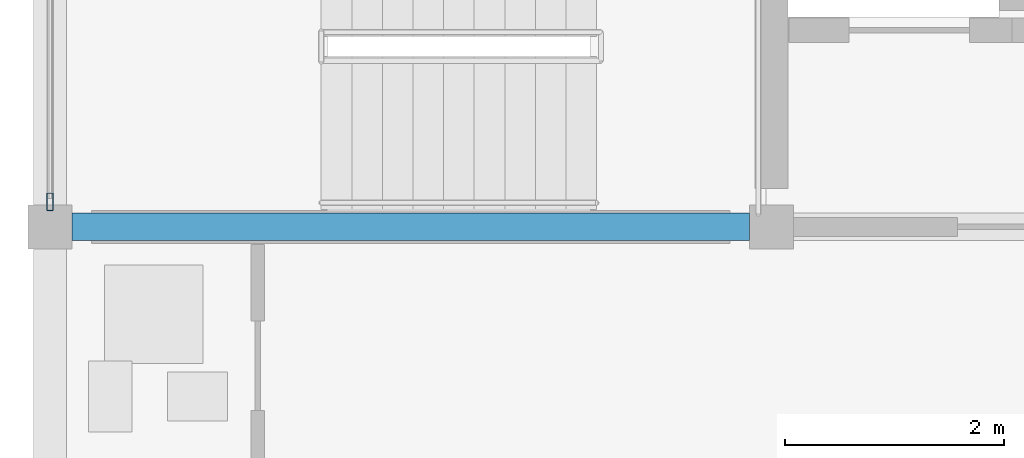
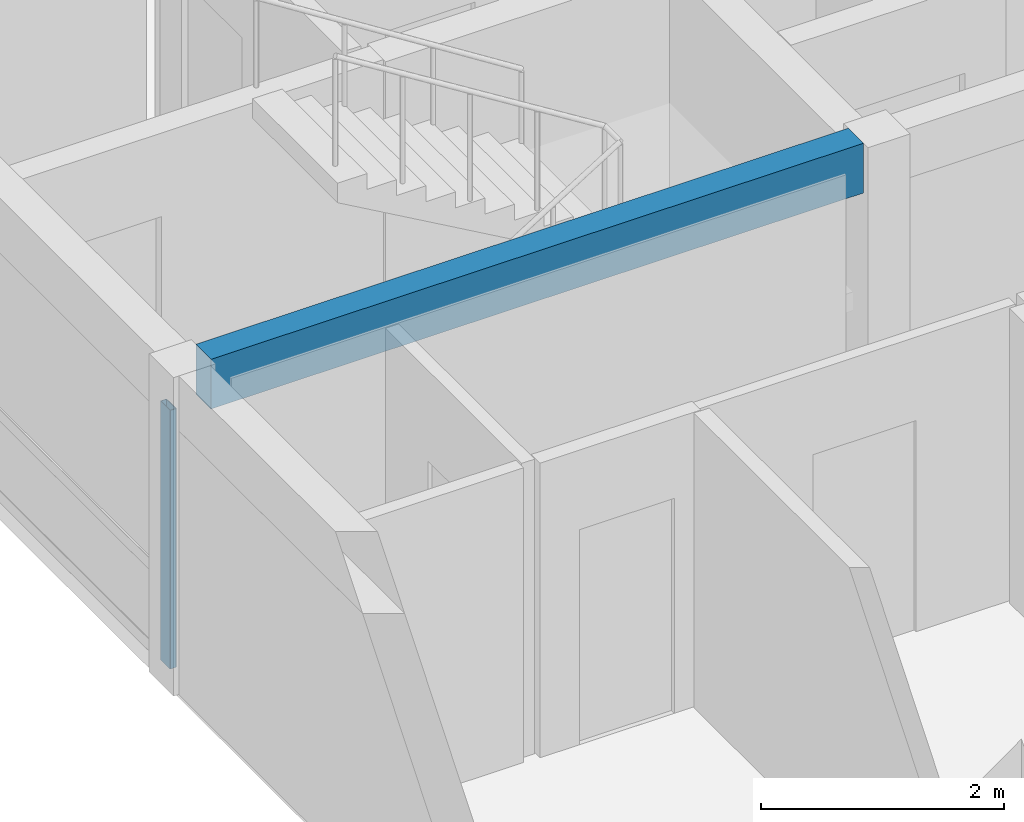
# One storey, part 4 of 45: 1 beam, 1 member, 1 element without a shape of its own.
"""IFC4 building model written with IfcOpenShell, lengths in metres."""

import ifcopenshell
import ifcopenshell.guid

model = None  # the IFC model being written
_history = None  # IfcOwnerHistory: only IFC2X3 demands one
_inside = {}  # id of a spatial element -> (the spatial element, [elements in it])
_under = {}  # id of a project, library or spatial element -> (it, [spatial elements below it])
_declared = {}  # id of a project -> (the project, [libraries it declares])
_typed = {}  # id of a type object -> (the type object, [elements of that type])
_made_of = {}  # id of a material, layer set ... -> (it, [elements and type objects made of it])


def new_model(schema):
    """Start an empty IFC model of exactly this schema.

    Asked for "IFC4X3", IfcOpenShell would pick the latest addendum, in which some entities
    have other attributes; the version numbers below select the first issue.
    IFC2X3 requires an IfcOwnerHistory on every rooted entity: one is made here for all.
    """
    global model, _history
    if schema == "IFC4X3":
        model = ifcopenshell.file(schema_version=(4, 3, 0, 0))
    else:
        model = ifcopenshell.file(schema=schema)
    _inside.clear()
    _under.clear()
    _declared.clear()
    _typed.clear()
    _made_of.clear()
    _history = None
    if model.schema == "IFC2X3":
        org = make("IfcOrganization", Name="unknown")
        user = make(
            "IfcPersonAndOrganization",
            ThePerson=make("IfcPerson", FamilyName="unknown"),
            TheOrganization=org,
        )
        app = make(
            "IfcApplication",
            ApplicationDeveloper=org,
            Version="unknown",
            ApplicationFullName="unknown",
            ApplicationIdentifier="unknown",
        )
        _history = make(
            "IfcOwnerHistory",
            OwningUser=user,
            OwningApplication=app,
            ChangeAction="ADDED",
            CreationDate=0,
        )
    return model


def make(cls, **values):
    """One entity of the class cls with the attributes given. An attribute that is None is left unset."""
    return model.create_entity(
        cls, **{name: value for name, value in values.items() if value is not None}
    )


def rooted(cls, **values):
    """An entity with a GlobalId (a new one), such as an element, a storey or a relation."""
    return make(cls, GlobalId=ifcopenshell.guid.new(), OwnerHistory=_history, **values)


def si_unit(unit_type, name, prefix=None):
    """IfcSIUnit, for example si_unit("LENGTHUNIT", "METRE", prefix="MILLI")."""
    return make("IfcSIUnit", UnitType=unit_type, Prefix=prefix, Name=name)


def assignment(units):
    """IfcUnitAssignment: the units of a project."""
    return None if units is None else make("IfcUnitAssignment", Units=units)


def point(xyz):
    """IfcCartesianPoint."""
    return None if xyz is None else make("IfcCartesianPoint", Coordinates=xyz)


def direction(xyz):
    """IfcDirection."""
    return None if xyz is None else make("IfcDirection", DirectionRatios=xyz)


def frame(location, z_axis=None, x_axis=None):
    """IfcAxis2Placement3D, a coordinate frame: its origin and axes. An axis left out is left unset."""
    return make(
        "IfcAxis2Placement3D",
        Location=point(location),
        Axis=direction(z_axis),
        RefDirection=direction(x_axis),
    )


def frame_2d(location, x_axis=None):
    """IfcAxis2Placement2D, a coordinate frame in the plane: its origin and x axis."""
    return make(
        "IfcAxis2Placement2D", Location=point(location), RefDirection=direction(x_axis)
    )


def origin():
    """The frame at (0, 0, 0) with its axes left unset."""
    return frame((0.0, 0.0, 0.0))


def origin_2d():
    """The frame at (0, 0) in the plane with its x axis left unset."""
    return frame_2d((0.0, 0.0))


def place(relative_to, where):
    """IfcLocalPlacement: puts the frame where relative to a parent placement (None: the world)."""
    return make(
        "IfcLocalPlacement", PlacementRelTo=relative_to, RelativePlacement=where
    )


def context(
    kind, dimensions, precision=None, world=None, true_north=None, identifier=None
):
    """IfcGeometricRepresentationContext, for example the 3D "Model" context."""
    return make(
        "IfcGeometricRepresentationContext",
        ContextIdentifier=identifier,
        ContextType=kind,
        CoordinateSpaceDimension=dimensions,
        Precision=precision,
        WorldCoordinateSystem=world,
        TrueNorth=true_north,
    )


def subcontext(parent, identifier, kind, view, scale=None):
    """IfcGeometricRepresentationSubContext, for example "Body" below "Model"."""
    return make(
        "IfcGeometricRepresentationSubContext",
        ContextIdentifier=identifier,
        ContextType=kind,
        ParentContext=parent,
        TargetScale=scale,
        TargetView=view,
    )


def project(units=None, contexts=None):
    """IfcProject with its units and contexts."""
    return rooted(
        "IfcProject",
        Name="project",
        RepresentationContexts=contexts,
        UnitsInContext=assignment(units),
    )


def spatial(cls, under=None, at=None, **own):
    """A site, building, storey or space (cls), placed at a placement, below another one or the project."""
    s = rooted(cls, ObjectPlacement=at, **own)
    if under is not None:
        _under.setdefault(under.id(), (under, []))[1].append(s)
    return s


def profile(cls, at=None, kind="AREA", **sizes):
    """A parametric profile (cls). Its sizes go by their IFC names, for example OverallWidth=200.0."""
    return make(cls, ProfileType=kind, Position=at, **sizes)


def rectangle(**sizes):
    """IfcRectangleProfileDef."""
    return profile("IfcRectangleProfileDef", **sizes)


def hollow_rectangle(**sizes):
    """IfcRectangleHollowProfileDef."""
    return profile("IfcRectangleHollowProfileDef", **sizes)


def extrude(swept, where, along, depth):
    """IfcExtrudedAreaSolid: the profile swept, set in the frame where, extruded along a direction by depth."""
    return make(
        "IfcExtrudedAreaSolid",
        SweptArea=swept,
        Position=where,
        ExtrudedDirection=direction(along),
        Depth=depth,
    )


def shape(context_of_items, identifier, shape_type, items):
    """IfcShapeRepresentation: the items that make up one representation, for example the "Body"."""
    return make(
        "IfcShapeRepresentation",
        ContextOfItems=context_of_items,
        RepresentationIdentifier=identifier,
        RepresentationType=shape_type,
        Items=items,
    )


def material(Name=None, Category=None):
    """IfcMaterial."""
    return make("IfcMaterial", Name=Name, Category=Category)


def material_profile(
    of_material, cross_section, Name=None, Category=None, Priority=None
):
    """IfcMaterialProfile: a cross section and its material."""
    return make(
        "IfcMaterialProfile",
        Name=Name,
        Material=of_material,
        Profile=cross_section,
        Priority=Priority,
        Category=Category,
    )


def profile_set(profiles, Name=None, composite=None):
    """IfcMaterialProfileSet."""
    return make(
        "IfcMaterialProfileSet",
        Name=Name,
        MaterialProfiles=profiles,
        CompositeProfile=composite,
    )


def made_of(thing, what):
    """Note that an element or type object is made of a material, layer set ...; save() writes the relation."""
    if what is not None:
        _made_of.setdefault(what.id(), (what, []))[1].append(thing)
    return thing


def type_object(cls, material=None, **own):
    """A type object (cls), such as IfcWallType, which elements share."""
    return made_of(rooted(cls, **own), material)


def element(
    cls,
    number,
    at=None,
    inside=None,
    cuts=None,
    type_object=None,
    material=None,
    context=None,
    identifier="Body",
    shape_type=None,
    held_by="IfcProductDefinitionShape",
    body=None,
    shapes=None,
    **own,
):
    """One element of the class cls, such as IfcWall. Its Tag is "e" and its number.

    at: its placement. inside: the storey or other place that contains it. cuts: it is an
    opening in that element (IfcRelVoidsElement). A single representation is given by context,
    identifier, shape_type and body (its items); several are given by shapes. held_by: the class
    of the entity that holds the representations. save() writes the other relations.
    """
    e = rooted(cls, Tag="e%d" % number, ObjectPlacement=at, **own)
    if body is not None:
        shapes = [shape(context, identifier, shape_type, body)]
    if shapes is not None:
        e.Representation = make(held_by, Representations=shapes)
    if inside is not None:
        _inside.setdefault(inside.id(), (inside, []))[1].append(e)
    if cuts is not None:
        rooted(
            "IfcRelVoidsElement", RelatingBuildingElement=cuts, RelatedOpeningElement=e
        )
    if type_object is not None:
        _typed.setdefault(type_object.id(), (type_object, []))[1].append(e)
    return made_of(e, material)


def aggregate(whole, parts):
    """IfcRelAggregates: a whole, such as a stair, and the parts it consists of."""
    return rooted("IfcRelAggregates", RelatingObject=whole, RelatedObjects=parts)


def save(model, path):
    """Write the relations noted so far, then the file.

    IfcRelAggregates (storeys below a building ...), IfcRelContainedInSpatialStructure (elements
    in a storey), IfcRelDefinesByType, IfcRelAssociatesMaterial and IfcRelDeclares: one each for
    every whole, place, type object, material and project.
    """
    for whole, parts in _under.values():
        aggregate(whole, parts)
    for where, things in _inside.values():
        rooted(
            "IfcRelContainedInSpatialStructure",
            RelatedElements=things,
            RelatingStructure=where,
        )
    for kind, things in _typed.values():
        rooted("IfcRelDefinesByType", RelatedObjects=things, RelatingType=kind)
    for what, things in _made_of.values():
        rooted("IfcRelAssociatesMaterial", RelatedObjects=things, RelatingMaterial=what)
    for by, libraries in _declared.values():
        rooted("IfcRelDeclares", RelatingContext=by, RelatedDefinitions=libraries)
    model.write(path)


model = new_model("IFC4")

# Units and contexts
model_context = context("Model", 3, precision=1e-05, world=origin(), true_north=direction((0.0, 1.0)))
body_context = subcontext(model_context, "Body", "Model", "MODEL_VIEW")
ifc_project = project(units=[si_unit("LENGTHUNIT", "METRE"), si_unit("AREAUNIT", "SQUARE_METRE"), si_unit("VOLUMEUNIT", "CUBIC_METRE"), si_unit("PLANEANGLEUNIT", "RADIAN"), si_unit("MASSUNIT", "GRAM", prefix="KILO")], contexts=[model_context])

# Site, building, storey
site_placement = place(None, origin())
site = spatial("IfcSite", under=ifc_project, at=site_placement, CompositionType="ELEMENT")
building_placement = place(site_placement, origin())
building = spatial("IfcBuilding", under=site, at=building_placement, Name="Kernevlak Ridge Housing Community", CompositionType="ELEMENT")
storey_placement = place(building_placement, frame((0.0, 0.0, 14.800048828125)))
storey = spatial("IfcBuildingStorey", under=building, at=storey_placement, Name="L04", CompositionType="ELEMENT", Elevation=14.800048828125)

# Beam
ifc_material_1 = material(Name="Concrete C35/45", Category="concrete")
ifc_material_profile_1 = material_profile(ifc_material_1, rectangle(XDim=0.25, YDim=0.5, at=origin_2d()), Name="RC 250x500")
ifc_profile_set_1 = profile_set([ifc_material_profile_1], Name="Concrete C35/45")
beam_type = type_object("IfcBeamType", Name="B-06", PredefinedType="T_BEAM", material=ifc_profile_set_1)
beam_placement = place(storey_placement, frame((15.800048828125, 22.199951171875, 2.949951171875), z_axis=(1.0, 0.0, 0.0), x_axis=(0.0, 1.0, 0.0)))
element("IfcBeam", 1, at=beam_placement, inside=storey, type_object=beam_type, Name="Beam B-06 L04 1414", PredefinedType="T_BEAM", context=body_context, shape_type="SweptSolid", body=[
    extrude(rectangle(XDim=0.25, YDim=0.5, at=origin_2d()), origin(), (0.0, 0.0, 1.0), 6.199951171875),
])

# Curtain wall, member
ifc_material_2 = material(Name="Aluminium EN AW-6060 anodised and laminated glass", Category="aluminium")
curtain_wall_type = type_object("IfcCurtainWallType", Name="CW-10", PredefinedType="NOTDEFINED", material=ifc_material_2)
curtain_wall_placement = place(storey_placement, origin())
curtain_wall = element("IfcCurtainWall", 2, at=curtain_wall_placement, inside=storey, type_object=curtain_wall_type, Name="Curtain wall CW-10 CW-L04-151", PredefinedType="NOTDEFINED")
ifc_material_3 = material(Name="Aluminium EN AW-6060 anodised", Category="aluminium")
ifc_material_profile_2 = material_profile(ifc_material_3, hollow_rectangle(XDim=0.06005859375, YDim=0.159912109375, WallThickness=0.00390625, InnerFilletRadius=0.001953125, OuterFilletRadius=0.00390625, at=origin_2d()), Name="ALU 60x160x4")
ifc_profile_set_2 = profile_set([ifc_material_profile_2], Name="Aluminium EN AW-6060 anodised")
member_type = type_object("IfcMemberType", Name="MU-02", PredefinedType="MULLION", material=ifc_profile_set_2)
member_placement = place(storey_placement, frame((15.60009765625, 22.429931640625, 0.0), z_axis=(0.0, 0.0, 1.0), x_axis=(-1.0, 0.0, 0.0)))
member = element("IfcMember", 3, at=member_placement, type_object=member_type, Name="CW-10 mullion 1", PredefinedType="MULLION", context=body_context, shape_type="SweptSolid", body=[
    extrude(hollow_rectangle(XDim=0.06005859375, YDim=0.159912109375, WallThickness=0.00390625, InnerFilletRadius=0.001953125, OuterFilletRadius=0.00390625, at=origin_2d()), origin(), (0.0, 0.0, 1.0), 2.599853515625),
])
aggregate(curtain_wall, [member])

save(model, "model.ifc")
